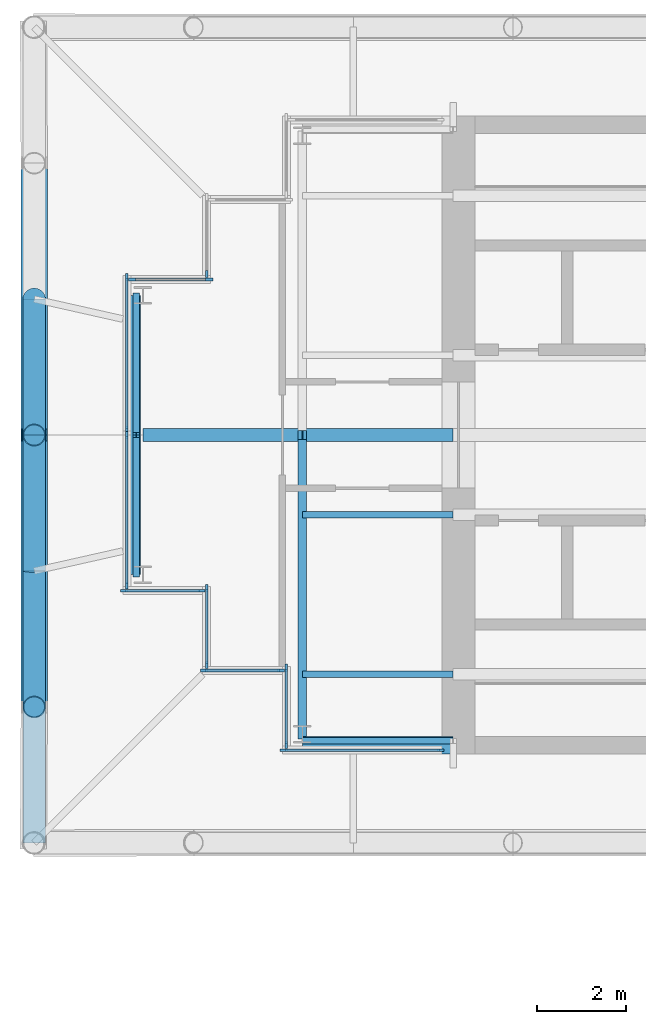
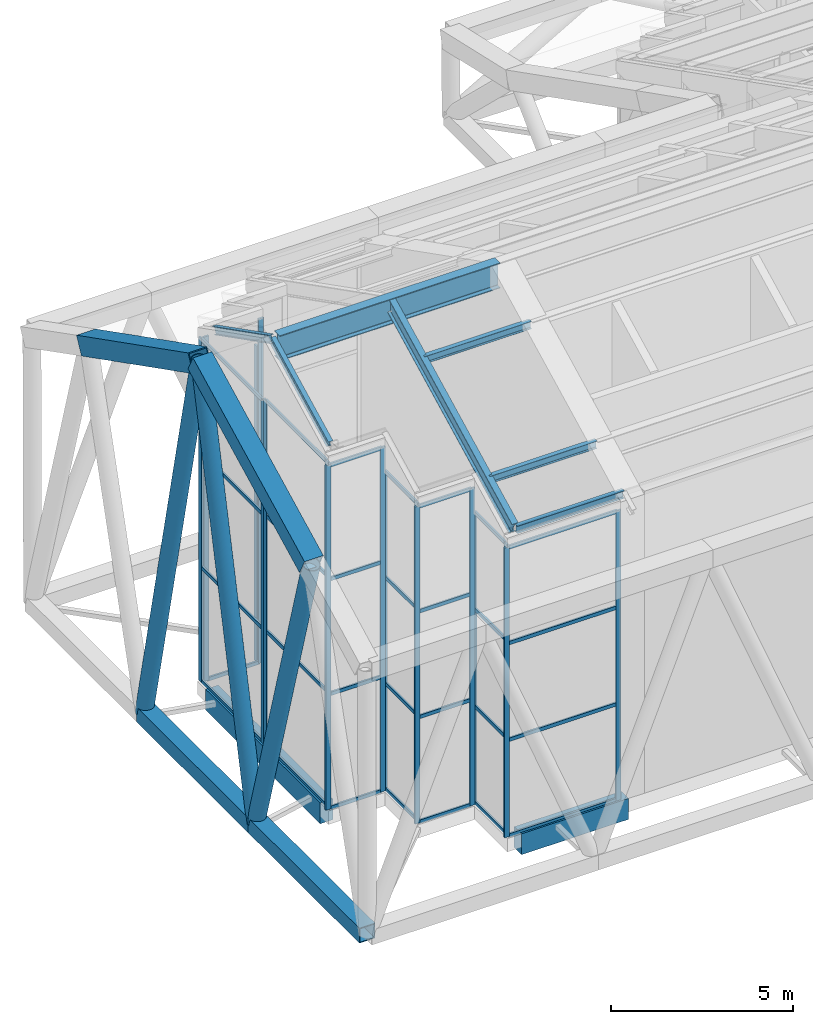
# One storey, part 6 of 25: 53 members, 9 beams, 9 elements without a shape of their own.
"""IFC4 building model written with IfcOpenShell, lengths in metres."""

from ifc_helpers import new_model, si_unit, direction, frame, origin, origin_2d, place, context, subcontext, project, spatial, rectangle, hollow_rectangle, hollow_circle, i_section, extrude, material, material_profile, profile_set, type_object, element, aggregate, save


model = new_model("IFC4")

# Units and contexts
model_context = context("Model", 3, precision=1e-05, world=origin(), true_north=direction((0.0, 1.0)))
body_context = subcontext(model_context, "Body", "Model", "MODEL_VIEW")
ifc_project = project(units=[si_unit("LENGTHUNIT", "METRE"), si_unit("AREAUNIT", "SQUARE_METRE"), si_unit("VOLUMEUNIT", "CUBIC_METRE"), si_unit("PLANEANGLEUNIT", "RADIAN"), si_unit("MASSUNIT", "GRAM", prefix="KILO")], contexts=[model_context])

# Site, building, storey
site_placement = place(None, origin())
site = spatial("IfcSite", under=ifc_project, at=site_placement, CompositionType="ELEMENT")
building_placement = place(site_placement, origin())
building = spatial("IfcBuilding", under=site, at=building_placement, Name="Fustian Cross Tower", CompositionType="ELEMENT")
storey_placement = place(building_placement, frame((0.0, 0.0, 247.5)))
storey = spatial("IfcBuildingStorey", under=building, at=storey_placement, Name="L77", CompositionType="ELEMENT", Elevation=247.5)

# Curtain wall, member
ifc_material_1 = material(Name="Glass", Category="glass")
curtain_wall_type = type_object("IfcCurtainWallType", Name="CW6 CURTAIN WALL", PredefinedType="NOTDEFINED", material=ifc_material_1)
curtain_wall_1_placement = place(storey_placement, origin())
curtain_wall_1 = element("IfcCurtainWall", 1, at=curtain_wall_1_placement, inside=storey, type_object=curtain_wall_type, Name="Curtain wall CW6", PredefinedType="NOTDEFINED")
ifc_material_2 = material(Name="Aluminium alloy 6063", Category="aluminium")
ifc_material_profile_1 = material_profile(ifc_material_2, rectangle(XDim=0.06005859375, YDim=0.159912109375, at=origin_2d()), Name="CW6 MULLION 60x160")
ifc_profile_set_1 = profile_set([ifc_material_profile_1], Name="Aluminium alloy 6063")
member_type_1 = type_object("IfcMemberType", Name="CW6 MULLION 60x160", PredefinedType="MULLION", material=ifc_profile_set_1)
member_1_placement = place(storey_placement, frame((-26.909912109375, 3.6298828125, 0.0), z_axis=(0.0, 0.0, 1.0), x_axis=(1.0, 0.0, 0.0)))
member_1 = element("IfcMember", 2, at=member_1_placement, type_object=member_type_1, Name="CW6 mullion 2", PredefinedType="MULLION", context=body_context, shape_type="SweptSolid", body=[
    extrude(rectangle(XDim=0.06005859375, YDim=0.159912109375, at=origin_2d()), origin(), (0.0, 0.0, 1.0), 10.60009765625),
])
aggregate(curtain_wall_1, [member_1])

# Curtain wall, members
curtain_wall_2_placement = place(storey_placement, origin())
curtain_wall_2 = element("IfcCurtainWall", 3, at=curtain_wall_2_placement, inside=storey, type_object=curtain_wall_type, Name="Curtain wall CW6", PredefinedType="NOTDEFINED")
member_2_placement = place(storey_placement, frame((-26.85009765625, 3.510009765625, 0.0), z_axis=(0.0, 0.0, 1.0), x_axis=(0.0, -1.0, 0.0)))
member_2 = element("IfcMember", 4, at=member_2_placement, type_object=member_type_1, Name="CW6 mullion 1", PredefinedType="MULLION", context=body_context, shape_type="SweptSolid", body=[
    extrude(rectangle(XDim=0.06005859375, YDim=0.159912109375, at=origin_2d()), origin(), (0.0, 0.0, 1.0), 11.5625),
])
member_3_placement = place(storey_placement, frame((-28.590087890625, 3.510009765625, 0.0), z_axis=(0.0, 0.0, 1.0), x_axis=(0.0, -1.0, 0.0)))
member_3 = element("IfcMember", 5, at=member_3_placement, type_object=member_type_1, Name="CW6 mullion 2", PredefinedType="MULLION", context=body_context, shape_type="SweptSolid", body=[
    extrude(rectangle(XDim=0.06005859375, YDim=0.159912109375, at=origin_2d()), origin(), (0.0, 0.0, 1.0), 11.5625),
])

curtain_wall_3_placement = place(storey_placement, origin())
curtain_wall_3 = element("IfcCurtainWall", 6, at=curtain_wall_3_placement, inside=storey, type_object=curtain_wall_type, Name="Curtain wall CW6", PredefinedType="NOTDEFINED")
member_4_placement = place(storey_placement, frame((-28.7099609375, 3.570068359375, 0.0), z_axis=(0.0, 0.0, 1.0), x_axis=(1.0, 0.0, 0.0)))
member_4 = element("IfcMember", 7, at=member_4_placement, type_object=member_type_1, Name="CW6 mullion 1", PredefinedType="MULLION", context=body_context, shape_type="SweptSolid", body=[
    extrude(rectangle(XDim=0.06005859375, YDim=0.159912109375, at=origin_2d()), origin(), (0.0, 0.0, 1.0), 11.5166015625),
])
member_5_placement = place(storey_placement, frame((-28.7099609375, 0.1201171875, 0.0), z_axis=(0.0, 0.0, 1.0), x_axis=(1.0, 0.0, 0.0)))
member_5 = element("IfcMember", 8, at=member_5_placement, type_object=member_type_1, Name="CW6 mullion 2", PredefinedType="MULLION", context=body_context, shape_type="SweptSolid", body=[
    extrude(rectangle(XDim=0.06005859375, YDim=0.159912109375, at=origin_2d()), origin(), (0.0, 0.0, 1.0), 11.5166015625),
])

curtain_wall_4_placement = place(storey_placement, origin())
curtain_wall_4 = element("IfcCurtainWall", 9, at=curtain_wall_4_placement, inside=storey, type_object=curtain_wall_type, Name="Curtain wall CW6", PredefinedType="NOTDEFINED")
member_6_placement = place(storey_placement, frame((-28.7099609375, 0.0, 0.0), z_axis=(0.0, 0.0, 1.0), x_axis=(1.0, 0.0, 0.0)))
member_6 = element("IfcMember", 10, at=member_6_placement, type_object=member_type_1, Name="CW6 mullion 1", PredefinedType="MULLION", context=body_context, shape_type="SweptSolid", body=[
    extrude(rectangle(XDim=0.06005859375, YDim=0.159912109375, at=origin_2d()), origin(), (0.0, 0.0, 1.0), 11.6083984375),
])
member_7_placement = place(storey_placement, frame((-28.7099609375, -3.389892578125, 0.0), z_axis=(0.0, 0.0, 1.0), x_axis=(1.0, 0.0, 0.0)))
member_7 = element("IfcMember", 11, at=member_7_placement, type_object=member_type_1, Name="CW6 mullion 2", PredefinedType="MULLION", context=body_context, shape_type="SweptSolid", body=[
    extrude(rectangle(XDim=0.06005859375, YDim=0.159912109375, at=origin_2d()), origin(), (0.0, 0.0, 1.0), 11.6083984375),
])

curtain_wall_5_placement = place(storey_placement, origin())
curtain_wall_5 = element("IfcCurtainWall", 12, at=curtain_wall_5_placement, inside=storey, type_object=curtain_wall_type, Name="Curtain wall CW6", PredefinedType="NOTDEFINED")
member_8_placement = place(storey_placement, frame((-28.77001953125, -3.510009765625, 0.0), z_axis=(0.0, 0.0, 1.0), x_axis=(0.0, 1.0, 0.0)))
member_8 = element("IfcMember", 13, at=member_8_placement, type_object=member_type_1, Name="CW6 mullion 1", PredefinedType="MULLION", context=body_context, shape_type="SweptSolid", body=[
    extrude(rectangle(XDim=0.06005859375, YDim=0.159912109375, at=origin_2d()), origin(), (0.0, 0.0, 1.0), 11.5625),
])
member_9_placement = place(storey_placement, frame((-27.030029296875, -3.510009765625, 0.0), z_axis=(0.0, 0.0, 1.0), x_axis=(0.0, 1.0, 0.0)))
member_9 = element("IfcMember", 14, at=member_9_placement, type_object=member_type_1, Name="CW6 mullion 2", PredefinedType="MULLION", context=body_context, shape_type="SweptSolid", body=[
    extrude(rectangle(XDim=0.06005859375, YDim=0.159912109375, at=origin_2d()), origin(), (0.0, 0.0, 1.0), 11.5625),
])

curtain_wall_6_placement = place(storey_placement, origin())
curtain_wall_6 = element("IfcCurtainWall", 15, at=curtain_wall_6_placement, inside=storey, type_object=curtain_wall_type, Name="Curtain wall CW6", PredefinedType="NOTDEFINED")
member_10_placement = place(storey_placement, frame((-26.909912109375, -3.449951171875, 0.0), z_axis=(0.0, 0.0, 1.0), x_axis=(1.0, 0.0, 0.0)))
member_10 = element("IfcMember", 16, at=member_10_placement, type_object=member_type_1, Name="CW6 mullion 1", PredefinedType="MULLION", context=body_context, shape_type="SweptSolid", body=[
    extrude(rectangle(XDim=0.06005859375, YDim=0.159912109375, at=origin_2d()), origin(), (0.0, 0.0, 1.0), 10.691650390625),
])
member_11_placement = place(storey_placement, frame((-26.909912109375, -5.18994140625, 0.0), z_axis=(0.0, 0.0, 1.0), x_axis=(1.0, 0.0, 0.0)))
member_11 = element("IfcMember", 17, at=member_11_placement, type_object=member_type_1, Name="CW6 mullion 2", PredefinedType="MULLION", context=body_context, shape_type="SweptSolid", body=[
    extrude(rectangle(XDim=0.06005859375, YDim=0.159912109375, at=origin_2d()), origin(), (0.0, 0.0, 1.0), 10.691650390625),
])

curtain_wall_7_placement = place(storey_placement, origin())
curtain_wall_7 = element("IfcCurtainWall", 18, at=curtain_wall_7_placement, inside=storey, type_object=curtain_wall_type, Name="Curtain wall CW6", PredefinedType="NOTDEFINED")
member_12_placement = place(storey_placement, frame((-26.969970703125, -5.31005859375, 0.0), z_axis=(0.0, 0.0, 1.0), x_axis=(0.0, 1.0, 0.0)))
member_12 = element("IfcMember", 19, at=member_12_placement, type_object=member_type_1, Name="CW6 mullion 1", PredefinedType="MULLION", context=body_context, shape_type="SweptSolid", body=[
    extrude(rectangle(XDim=0.06005859375, YDim=0.159912109375, at=origin_2d()), origin(), (0.0, 0.0, 1.0), 10.645751953125),
])
member_13_placement = place(storey_placement, frame((-25.22998046875, -5.31005859375, 0.0), z_axis=(0.0, 0.0, 1.0), x_axis=(0.0, 1.0, 0.0)))
member_13 = element("IfcMember", 20, at=member_13_placement, type_object=member_type_1, Name="CW6 mullion 2", PredefinedType="MULLION", context=body_context, shape_type="SweptSolid", body=[
    extrude(rectangle(XDim=0.06005859375, YDim=0.159912109375, at=origin_2d()), origin(), (0.0, 0.0, 1.0), 10.645751953125),
])

curtain_wall_8_placement = place(storey_placement, origin())
curtain_wall_8 = element("IfcCurtainWall", 21, at=curtain_wall_8_placement, inside=storey, type_object=curtain_wall_type, Name="Curtain wall CW6", PredefinedType="NOTDEFINED")
member_14_placement = place(storey_placement, frame((-25.110107421875, -5.25, 0.0), z_axis=(0.0, 0.0, 1.0), x_axis=(1.0, 0.0, 0.0)))
member_14 = element("IfcMember", 22, at=member_14_placement, type_object=member_type_1, Name="CW6 mullion 1", PredefinedType="MULLION", context=body_context, shape_type="SweptSolid", body=[
    extrude(rectangle(XDim=0.06005859375, YDim=0.159912109375, at=origin_2d()), origin(), (0.0, 0.0, 1.0), 9.77490234375),
])
member_15_placement = place(storey_placement, frame((-25.110107421875, -6.989990234375, 0.0), z_axis=(0.0, 0.0, 1.0), x_axis=(1.0, 0.0, 0.0)))
member_15 = element("IfcMember", 23, at=member_15_placement, type_object=member_type_1, Name="CW6 mullion 2", PredefinedType="MULLION", context=body_context, shape_type="SweptSolid", body=[
    extrude(rectangle(XDim=0.06005859375, YDim=0.159912109375, at=origin_2d()), origin(), (0.0, 0.0, 1.0), 9.77490234375),
])

curtain_wall_9_placement = place(storey_placement, origin())
curtain_wall_9 = element("IfcCurtainWall", 24, at=curtain_wall_9_placement, inside=storey, type_object=curtain_wall_type, Name="Curtain wall CW6", PredefinedType="NOTDEFINED")
member_16_placement = place(storey_placement, frame((-25.169921875, -7.110107421875, 0.0), z_axis=(0.0, 0.0, 1.0), x_axis=(0.0, 1.0, 0.0)))
member_16 = element("IfcMember", 25, at=member_16_placement, type_object=member_type_1, Name="CW6 mullion 1", PredefinedType="MULLION", context=body_context, shape_type="SweptSolid", body=[
    extrude(rectangle(XDim=0.06005859375, YDim=0.159912109375, at=origin_2d()), origin(), (0.0, 0.0, 1.0), 9.729248046875),
])
member_17_placement = place(storey_placement, frame((-21.6298828125, -7.110107421875, 0.0), z_axis=(0.0, 0.0, 1.0), x_axis=(0.0, 1.0, 0.0)))
member_17 = element("IfcMember", 26, at=member_17_placement, type_object=member_type_1, Name="CW6 mullion 2", PredefinedType="MULLION", context=body_context, shape_type="SweptSolid", body=[
    extrude(rectangle(XDim=0.06005859375, YDim=0.159912109375, at=origin_2d()), origin(), (0.0, 0.0, 1.0), 9.729248046875),
])

# Member
ifc_material_3 = material(Name="Aluminium alloy 6063", Category="aluminium")
ifc_material_profile_2 = material_profile(ifc_material_3, rectangle(XDim=0.06005859375, YDim=0.1201171875, at=origin_2d()), Name="CW6 TRANSOM 60x120")
ifc_profile_set_2 = profile_set([ifc_material_profile_2], Name="Aluminium alloy 6063")
member_type_2 = type_object("IfcMemberType", Name="CW6 TRANSOM 60x120", PredefinedType="USERDEFINED", material=ifc_profile_set_2)
member_18_placement = place(storey_placement, frame((-26.8798828125, 3.510009765625, 0.030029296875), z_axis=(-1.0, 0.0, 0.0), x_axis=(0.0, -1.0, 0.0)))
member_18 = element("IfcMember", 27, at=member_18_placement, type_object=member_type_2, Name="CW6 transom 1.1", ObjectType="TRANSOM", PredefinedType="USERDEFINED", context=body_context, shape_type="SweptSolid", body=[
    extrude(rectangle(XDim=0.06005859375, YDim=0.1201171875, at=origin_2d()), origin(), (0.0, 0.0, 1.0), 1.68017578125),
])

aggregate(curtain_wall_2, [member_2, member_3, member_18])

member_19_placement = place(storey_placement, frame((-28.7099609375, 3.5400390625, 0.030029296875), z_axis=(0.0, -1.0, 0.0), x_axis=(1.0, 0.0, 0.0)))
member_19 = element("IfcMember", 28, at=member_19_placement, type_object=member_type_2, Name="CW6 transom 1.1", ObjectType="TRANSOM", PredefinedType="USERDEFINED", context=body_context, shape_type="SweptSolid", body=[
    extrude(rectangle(XDim=0.06005859375, YDim=0.1201171875, at=origin_2d()), origin(), (0.0, 0.0, 1.0), 3.39013671875),
])

member_20_placement = place(storey_placement, frame((-28.7099609375, 3.5400390625, 3.8388671875), z_axis=(0.0, -1.0, 0.0), x_axis=(1.0, 0.0, 0.0)))
member_20 = element("IfcMember", 29, at=member_20_placement, type_object=member_type_2, Name="CW6 transom 1.2", ObjectType="TRANSOM", PredefinedType="USERDEFINED", context=body_context, shape_type="SweptSolid", body=[
    extrude(rectangle(XDim=0.06005859375, YDim=0.1201171875, at=origin_2d()), origin(), (0.0, 0.0, 1.0), 3.39013671875),
])

member_21_placement = place(storey_placement, frame((-28.7099609375, 3.5400390625, 7.677734375), z_axis=(0.0, -1.0, 0.0), x_axis=(1.0, 0.0, 0.0)))
member_21 = element("IfcMember", 30, at=member_21_placement, type_object=member_type_2, Name="CW6 transom 1.3", ObjectType="TRANSOM", PredefinedType="USERDEFINED", context=body_context, shape_type="SweptSolid", body=[
    extrude(rectangle(XDim=0.06005859375, YDim=0.1201171875, at=origin_2d()), origin(), (0.0, 0.0, 1.0), 3.39013671875),
])

member_22_placement = place(storey_placement, frame((-28.7099609375, 3.5400390625, 11.486572265625), z_axis=(0.0, -1.0, 0.0), x_axis=(1.0, 0.0, 0.0)))
member_22 = element("IfcMember", 31, at=member_22_placement, type_object=member_type_2, Name="CW6 transom 1.4", ObjectType="TRANSOM", PredefinedType="USERDEFINED", context=body_context, shape_type="SweptSolid", body=[
    extrude(rectangle(XDim=0.06005859375, YDim=0.1201171875, at=origin_2d()), origin(), (0.0, 0.0, 1.0), 3.39013671875),
])

aggregate(curtain_wall_3, [member_4, member_5, member_19, member_20, member_21, member_22])

member_23_placement = place(storey_placement, frame((-28.7099609375, -0.030029296875, 0.030029296875), z_axis=(0.0, -1.0, 0.0), x_axis=(1.0, 0.0, 0.0)))
member_23 = element("IfcMember", 32, at=member_23_placement, type_object=member_type_2, Name="CW6 transom 1.1", ObjectType="TRANSOM", PredefinedType="USERDEFINED", context=body_context, shape_type="SweptSolid", body=[
    extrude(rectangle(XDim=0.06005859375, YDim=0.1201171875, at=origin_2d()), origin(), (0.0, 0.0, 1.0), 3.330078125),
])

member_24_placement = place(storey_placement, frame((-28.7099609375, -0.030029296875, 3.869384765625), z_axis=(0.0, -1.0, 0.0), x_axis=(1.0, 0.0, 0.0)))
member_24 = element("IfcMember", 33, at=member_24_placement, type_object=member_type_2, Name="CW6 transom 1.2", ObjectType="TRANSOM", PredefinedType="USERDEFINED", context=body_context, shape_type="SweptSolid", body=[
    extrude(rectangle(XDim=0.06005859375, YDim=0.1201171875, at=origin_2d()), origin(), (0.0, 0.0, 1.0), 3.330078125),
])

member_25_placement = place(storey_placement, frame((-28.7099609375, -0.030029296875, 7.73876953125), z_axis=(0.0, -1.0, 0.0), x_axis=(1.0, 0.0, 0.0)))
member_25 = element("IfcMember", 34, at=member_25_placement, type_object=member_type_2, Name="CW6 transom 1.3", ObjectType="TRANSOM", PredefinedType="USERDEFINED", context=body_context, shape_type="SweptSolid", body=[
    extrude(rectangle(XDim=0.06005859375, YDim=0.1201171875, at=origin_2d()), origin(), (0.0, 0.0, 1.0), 3.330078125),
])

member_26_placement = place(storey_placement, frame((-28.7099609375, -0.030029296875, 11.578369140625), z_axis=(0.0, -1.0, 0.0), x_axis=(1.0, 0.0, 0.0)))
member_26 = element("IfcMember", 35, at=member_26_placement, type_object=member_type_2, Name="CW6 transom 1.4", ObjectType="TRANSOM", PredefinedType="USERDEFINED", context=body_context, shape_type="SweptSolid", body=[
    extrude(rectangle(XDim=0.06005859375, YDim=0.1201171875, at=origin_2d()), origin(), (0.0, 0.0, 1.0), 3.330078125),
])

aggregate(curtain_wall_4, [member_6, member_7, member_23, member_24, member_25, member_26])

member_27_placement = place(storey_placement, frame((-28.739990234375, -3.510009765625, 0.030029296875), z_axis=(1.0, 0.0, 0.0), x_axis=(0.0, 1.0, 0.0)))
member_27 = element("IfcMember", 36, at=member_27_placement, type_object=member_type_2, Name="CW6 transom 1.1", ObjectType="TRANSOM", PredefinedType="USERDEFINED", context=body_context, shape_type="SweptSolid", body=[
    extrude(rectangle(XDim=0.06005859375, YDim=0.1201171875, at=origin_2d()), origin(), (0.0, 0.0, 1.0), 1.679931640625),
])

member_28_placement = place(storey_placement, frame((-28.739990234375, -3.510009765625, 3.854248046875), z_axis=(1.0, 0.0, 0.0), x_axis=(0.0, 1.0, 0.0)))
member_28 = element("IfcMember", 37, at=member_28_placement, type_object=member_type_2, Name="CW6 transom 1.2", ObjectType="TRANSOM", PredefinedType="USERDEFINED", context=body_context, shape_type="SweptSolid", body=[
    extrude(rectangle(XDim=0.06005859375, YDim=0.1201171875, at=origin_2d()), origin(), (0.0, 0.0, 1.0), 1.679931640625),
])

member_29_placement = place(storey_placement, frame((-28.739990234375, -3.510009765625, 7.708251953125), z_axis=(1.0, 0.0, 0.0), x_axis=(0.0, 1.0, 0.0)))
member_29 = element("IfcMember", 38, at=member_29_placement, type_object=member_type_2, Name="CW6 transom 1.3", ObjectType="TRANSOM", PredefinedType="USERDEFINED", context=body_context, shape_type="SweptSolid", body=[
    extrude(rectangle(XDim=0.06005859375, YDim=0.1201171875, at=origin_2d()), origin(), (0.0, 0.0, 1.0), 1.679931640625),
])

member_30_placement = place(storey_placement, frame((-28.739990234375, -3.510009765625, 11.532470703125), z_axis=(1.0, 0.0, 0.0), x_axis=(0.0, 1.0, 0.0)))
member_30 = element("IfcMember", 39, at=member_30_placement, type_object=member_type_2, Name="CW6 transom 1.4", ObjectType="TRANSOM", PredefinedType="USERDEFINED", context=body_context, shape_type="SweptSolid", body=[
    extrude(rectangle(XDim=0.06005859375, YDim=0.1201171875, at=origin_2d()), origin(), (0.0, 0.0, 1.0), 1.679931640625),
])

aggregate(curtain_wall_5, [member_8, member_9, member_27, member_28, member_29, member_30])

member_31_placement = place(storey_placement, frame((-26.909912109375, -3.47998046875, 0.030029296875), z_axis=(0.0, -1.0, 0.0), x_axis=(1.0, 0.0, 0.0)))
member_31 = element("IfcMember", 40, at=member_31_placement, type_object=member_type_2, Name="CW6 transom 1.1", ObjectType="TRANSOM", PredefinedType="USERDEFINED", context=body_context, shape_type="SweptSolid", body=[
    extrude(rectangle(XDim=0.06005859375, YDim=0.1201171875, at=origin_2d()), origin(), (0.0, 0.0, 1.0), 1.679931640625),
])

member_32_placement = place(storey_placement, frame((-26.909912109375, -3.47998046875, 3.56396484375), z_axis=(0.0, -1.0, 0.0), x_axis=(1.0, 0.0, 0.0)))
member_32 = element("IfcMember", 41, at=member_32_placement, type_object=member_type_2, Name="CW6 transom 1.2", ObjectType="TRANSOM", PredefinedType="USERDEFINED", context=body_context, shape_type="SweptSolid", body=[
    extrude(rectangle(XDim=0.06005859375, YDim=0.1201171875, at=origin_2d()), origin(), (0.0, 0.0, 1.0), 1.679931640625),
])

member_33_placement = place(storey_placement, frame((-26.909912109375, -3.47998046875, 7.127685546875), z_axis=(0.0, -1.0, 0.0), x_axis=(1.0, 0.0, 0.0)))
member_33 = element("IfcMember", 42, at=member_33_placement, type_object=member_type_2, Name="CW6 transom 1.3", ObjectType="TRANSOM", PredefinedType="USERDEFINED", context=body_context, shape_type="SweptSolid", body=[
    extrude(rectangle(XDim=0.06005859375, YDim=0.1201171875, at=origin_2d()), origin(), (0.0, 0.0, 1.0), 1.679931640625),
])

member_34_placement = place(storey_placement, frame((-26.909912109375, -3.47998046875, 10.66162109375), z_axis=(0.0, -1.0, 0.0), x_axis=(1.0, 0.0, 0.0)))
member_34 = element("IfcMember", 43, at=member_34_placement, type_object=member_type_2, Name="CW6 transom 1.4", ObjectType="TRANSOM", PredefinedType="USERDEFINED", context=body_context, shape_type="SweptSolid", body=[
    extrude(rectangle(XDim=0.06005859375, YDim=0.1201171875, at=origin_2d()), origin(), (0.0, 0.0, 1.0), 1.679931640625),
])

aggregate(curtain_wall_6, [member_10, member_11, member_31, member_32, member_33, member_34])

member_35_placement = place(storey_placement, frame((-26.93994140625, -5.31005859375, 0.030029296875), z_axis=(1.0, 0.0, 0.0), x_axis=(0.0, 1.0, 0.0)))
member_35 = element("IfcMember", 44, at=member_35_placement, type_object=member_type_2, Name="CW6 transom 1.1", ObjectType="TRANSOM", PredefinedType="USERDEFINED", context=body_context, shape_type="SweptSolid", body=[
    extrude(rectangle(XDim=0.06005859375, YDim=0.1201171875, at=origin_2d()), origin(), (0.0, 0.0, 1.0), 1.679931640625),
])

member_36_placement = place(storey_placement, frame((-26.93994140625, -5.31005859375, 3.548583984375), z_axis=(1.0, 0.0, 0.0), x_axis=(0.0, 1.0, 0.0)))
member_36 = element("IfcMember", 45, at=member_36_placement, type_object=member_type_2, Name="CW6 transom 1.2", ObjectType="TRANSOM", PredefinedType="USERDEFINED", context=body_context, shape_type="SweptSolid", body=[
    extrude(rectangle(XDim=0.06005859375, YDim=0.1201171875, at=origin_2d()), origin(), (0.0, 0.0, 1.0), 1.679931640625),
])

member_37_placement = place(storey_placement, frame((-26.93994140625, -5.31005859375, 7.09716796875), z_axis=(1.0, 0.0, 0.0), x_axis=(0.0, 1.0, 0.0)))
member_37 = element("IfcMember", 46, at=member_37_placement, type_object=member_type_2, Name="CW6 transom 1.3", ObjectType="TRANSOM", PredefinedType="USERDEFINED", context=body_context, shape_type="SweptSolid", body=[
    extrude(rectangle(XDim=0.06005859375, YDim=0.1201171875, at=origin_2d()), origin(), (0.0, 0.0, 1.0), 1.679931640625),
])

member_38_placement = place(storey_placement, frame((-26.93994140625, -5.31005859375, 10.61572265625), z_axis=(1.0, 0.0, 0.0), x_axis=(0.0, 1.0, 0.0)))
member_38 = element("IfcMember", 47, at=member_38_placement, type_object=member_type_2, Name="CW6 transom 1.4", ObjectType="TRANSOM", PredefinedType="USERDEFINED", context=body_context, shape_type="SweptSolid", body=[
    extrude(rectangle(XDim=0.06005859375, YDim=0.1201171875, at=origin_2d()), origin(), (0.0, 0.0, 1.0), 1.679931640625),
])

aggregate(curtain_wall_7, [member_12, member_13, member_35, member_36, member_37, member_38])

member_39_placement = place(storey_placement, frame((-25.110107421875, -5.280029296875, 0.030029296875), z_axis=(0.0, -1.0, 0.0), x_axis=(1.0, 0.0, 0.0)))
member_39 = element("IfcMember", 48, at=member_39_placement, type_object=member_type_2, Name="CW6 transom 1.1", ObjectType="TRANSOM", PredefinedType="USERDEFINED", context=body_context, shape_type="SweptSolid", body=[
    extrude(rectangle(XDim=0.06005859375, YDim=0.1201171875, at=origin_2d()), origin(), (0.0, 0.0, 1.0), 1.679931640625),
])

member_40_placement = place(storey_placement, frame((-25.110107421875, -5.280029296875, 3.25830078125), z_axis=(0.0, -1.0, 0.0), x_axis=(1.0, 0.0, 0.0)))
member_40 = element("IfcMember", 49, at=member_40_placement, type_object=member_type_2, Name="CW6 transom 1.2", ObjectType="TRANSOM", PredefinedType="USERDEFINED", context=body_context, shape_type="SweptSolid", body=[
    extrude(rectangle(XDim=0.06005859375, YDim=0.1201171875, at=origin_2d()), origin(), (0.0, 0.0, 1.0), 1.679931640625),
])

member_41_placement = place(storey_placement, frame((-25.110107421875, -5.280029296875, 6.5166015625), z_axis=(0.0, -1.0, 0.0), x_axis=(1.0, 0.0, 0.0)))
member_41 = element("IfcMember", 50, at=member_41_placement, type_object=member_type_2, Name="CW6 transom 1.3", ObjectType="TRANSOM", PredefinedType="USERDEFINED", context=body_context, shape_type="SweptSolid", body=[
    extrude(rectangle(XDim=0.06005859375, YDim=0.1201171875, at=origin_2d()), origin(), (0.0, 0.0, 1.0), 1.679931640625),
])

member_42_placement = place(storey_placement, frame((-25.110107421875, -5.280029296875, 9.7451171875), z_axis=(0.0, -1.0, 0.0), x_axis=(1.0, 0.0, 0.0)))
member_42 = element("IfcMember", 51, at=member_42_placement, type_object=member_type_2, Name="CW6 transom 1.4", ObjectType="TRANSOM", PredefinedType="USERDEFINED", context=body_context, shape_type="SweptSolid", body=[
    extrude(rectangle(XDim=0.06005859375, YDim=0.1201171875, at=origin_2d()), origin(), (0.0, 0.0, 1.0), 1.679931640625),
])

aggregate(curtain_wall_8, [member_14, member_15, member_39, member_40, member_41, member_42])

member_43_placement = place(storey_placement, frame((-25.139892578125, -7.110107421875, 0.030029296875), z_axis=(1.0, 0.0, 0.0), x_axis=(0.0, 1.0, 0.0)))
member_43 = element("IfcMember", 52, at=member_43_placement, type_object=member_type_2, Name="CW6 transom 1.1", ObjectType="TRANSOM", PredefinedType="USERDEFINED", context=body_context, shape_type="SweptSolid", body=[
    extrude(rectangle(XDim=0.06005859375, YDim=0.1201171875, at=origin_2d()), origin(), (0.0, 0.0, 1.0), 3.47998046875),
])

member_44_placement = place(storey_placement, frame((-25.139892578125, -7.110107421875, 3.2431640625), z_axis=(1.0, 0.0, 0.0), x_axis=(0.0, 1.0, 0.0)))
member_44 = element("IfcMember", 53, at=member_44_placement, type_object=member_type_2, Name="CW6 transom 1.2", ObjectType="TRANSOM", PredefinedType="USERDEFINED", context=body_context, shape_type="SweptSolid", body=[
    extrude(rectangle(XDim=0.06005859375, YDim=0.1201171875, at=origin_2d()), origin(), (0.0, 0.0, 1.0), 3.47998046875),
])

member_45_placement = place(storey_placement, frame((-25.139892578125, -7.110107421875, 6.486083984375), z_axis=(1.0, 0.0, 0.0), x_axis=(0.0, 1.0, 0.0)))
member_45 = element("IfcMember", 54, at=member_45_placement, type_object=member_type_2, Name="CW6 transom 1.3", ObjectType="TRANSOM", PredefinedType="USERDEFINED", context=body_context, shape_type="SweptSolid", body=[
    extrude(rectangle(XDim=0.06005859375, YDim=0.1201171875, at=origin_2d()), origin(), (0.0, 0.0, 1.0), 3.47998046875),
])

member_46_placement = place(storey_placement, frame((-25.139892578125, -7.110107421875, 9.69921875), z_axis=(1.0, 0.0, 0.0), x_axis=(0.0, 1.0, 0.0)))
member_46 = element("IfcMember", 55, at=member_46_placement, type_object=member_type_2, Name="CW6 transom 1.4", ObjectType="TRANSOM", PredefinedType="USERDEFINED", context=body_context, shape_type="SweptSolid", body=[
    extrude(rectangle(XDim=0.06005859375, YDim=0.1201171875, at=origin_2d()), origin(), (0.0, 0.0, 1.0), 3.47998046875),
])

aggregate(curtain_wall_9, [member_16, member_17, member_43, member_44, member_45, member_46])

# Members
ifc_material_4 = material(Name="Steel S355", Category="steel")
ifc_material_profile_3 = material_profile(ifc_material_4, hollow_circle(Radius=0.25390625, WallThickness=0.02001953125, at=origin_2d()), Name="CHS 508x20")
ifc_profile_set_3 = profile_set([ifc_material_profile_3], Name="Steel S355")
member_type_3 = type_object("IfcMemberType", Name="DIAGRID DIAGONAL CHS 508x20", PredefinedType="BRACE", material=ifc_profile_set_3)
for number, where, z_axis, x_axis, name in (
    (56, (-30.800048828125, 3.066650390625, 0.0), (0.0, -0.219200746115, 0.975679779898), (1.0, 0.0, 0.0), "Diagrid diagonal W-end 03"),
    (57, (-30.800048828125, -3.066650390625, 0.0), (0.0, 0.219200746115, 0.975679779898), (-1.0, 0.0, 0.0), "Diagrid diagonal W-end 04"),
):
    element("IfcMember", number, at=place(storey_placement, frame(where, z_axis=z_axis, x_axis=x_axis)), inside=storey, type_object=member_type_3, Name=name, PredefinedType="BRACE", context=body_context, shape_type="SweptSolid", body=[
        extrude(hollow_circle(Radius=0.25390625, WallThickness=0.02001953125, at=origin_2d()), origin(), (0.0, 0.0, 1.0), 13.990234375),
    ])
member_47_placement = place(storey_placement, frame((-30.800048828125, -3.066650390625, 0.0), z_axis=(0.0, -0.279696441549, 0.96008848581), x_axis=(1.0, 0.0, 0.0)))
element("IfcMember", 58, at=member_47_placement, inside=storey, type_object=member_type_3, Name="Diagrid diagonal W-end 05", PredefinedType="BRACE", context=body_context, shape_type="SweptSolid", body=[
    extrude(hollow_circle(Radius=0.25390625, WallThickness=0.02001953125, at=origin_2d()), origin(), (0.0, 0.0, 1.0), 10.964111328125),
])
ifc_material_5 = material(Name="Steel S355", Category="steel")
ifc_material_profile_4 = material_profile(ifc_material_5, hollow_rectangle(XDim=0.5, YDim=0.5, WallThickness=0.02490234375, at=origin_2d()), Name="RHS 500x500x25")
ifc_profile_set_4 = profile_set([ifc_material_profile_4], Name="Steel S355")
member_type_4 = type_object("IfcMemberType", Name="DIAGRID RING RHS 500x500x25", PredefinedType="MEMBER", material=ifc_profile_set_4)
for number, where, z_axis, x_axis, name in (
    (59, (-30.800048828125, 3.066650390625, 0.0), (0.0, -1.0, 0.0), (1.0, 0.0, 0.0), "Diagrid ring L77-15 L77-16"),
    (60, (-30.800048828125, -3.066650390625, 0.0), (0.0, -1.0, 0.0), (1.0, 0.0, 0.0), "Diagrid ring L77-16 L77-17"),
):
    element("IfcMember", number, at=place(storey_placement, frame(where, z_axis=z_axis, x_axis=x_axis)), inside=storey, type_object=member_type_4, Name=name, PredefinedType="MEMBER", context=body_context, shape_type="SweptSolid", body=[
        extrude(hollow_rectangle(XDim=0.5, YDim=0.5, WallThickness=0.02490234375, at=origin_2d()), origin(), (0.0, 0.0, 1.0), 6.13330078125),
    ])
ifc_material_6 = material(Name="Steel S355", Category="steel")
ifc_material_profile_5 = material_profile(ifc_material_6, hollow_rectangle(XDim=0.60009765625, YDim=0.60009765625, WallThickness=0.030029296875, at=origin_2d()), Name="RHS 600x600x30")
ifc_profile_set_5 = profile_set([ifc_material_profile_5], Name="Steel S355")
member_type_5 = type_object("IfcMemberType", Name="DIAGRID RING RHS 600x600x30", PredefinedType="MEMBER", material=ifc_profile_set_5)
for number, where, z_axis, x_axis, name in (
    (61, (-30.800048828125, 6.13330078125, 10.526611328125), (0.0, -0.89111122047, 0.453784963119), (1.0, 0.0, 0.0), "Diagrid ring TOP-20 TOP-21"),
    (62, (-30.800048828125, 0.0, 13.64990234375), (0.0, -0.89111122047, -0.453784963119), (1.0, 0.0, 0.0), "Diagrid ring TOP-21 TOP-22"),
):
    element("IfcMember", number, at=place(storey_placement, frame(where, z_axis=z_axis, x_axis=x_axis)), inside=storey, type_object=member_type_5, Name=name, PredefinedType="MEMBER", context=body_context, shape_type="SweptSolid", body=[
        extrude(hollow_rectangle(XDim=0.60009765625, YDim=0.60009765625, WallThickness=0.030029296875, at=origin_2d()), origin(), (0.0, 0.0, 1.0), 6.8828125),
    ])

# Beams
ifc_material_7 = material(Name="Concrete C50/60", Category="concrete")
ifc_material_profile_6 = material_profile(ifc_material_7, rectangle(XDim=0.39990234375, YDim=0.699951171875, at=origin_2d()), Name="RC 400x700")
ifc_profile_set_6 = profile_set([ifc_material_profile_6], Name="Concrete C50/60")
beam_type_1 = type_object("IfcBeamType", Name="EDGE BEAM RC 400x700 C50/60", PredefinedType="SPANDREL", material=ifc_profile_set_6)
beam_1_placement = place(storey_placement, frame((-28.60009765625, 3.14990234375, -0.35009765625), z_axis=(0.0, -1.0, 0.0), x_axis=(1.0, 0.0, 0.0)))
element("IfcBeam", 63, at=beam_1_placement, inside=storey, type_object=beam_type_1, Name="EDGE BEAM L77-10", PredefinedType="SPANDREL", context=body_context, shape_type="SweptSolid", body=[
    extrude(rectangle(XDim=0.39990234375, YDim=0.699951171875, at=origin_2d()), origin(), (0.0, 0.0, 1.0), 6.2998046875),
])
beam_2_placement = place(storey_placement, frame((-24.75, -7.0, -0.35009765625), z_axis=(1.0, 0.0, 0.0), x_axis=(0.0, 1.0, 0.0)))
element("IfcBeam", 64, at=beam_2_placement, inside=storey, type_object=beam_type_1, Name="EDGE BEAM L77-11", PredefinedType="SPANDREL", context=body_context, shape_type="SweptSolid", body=[
    extrude(rectangle(XDim=0.39990234375, YDim=0.699951171875, at=origin_2d()), origin(), (0.0, 0.0, 1.0), 3.39990234375),
])
ifc_material_8 = material(Name="Steel S355", Category="steel")
ifc_material_profile_7 = material_profile(ifc_material_8, i_section(OverallWidth=0.293701171875, OverallDepth=0.850830078125, WebThickness=0.01611328125, FlangeThickness=0.02685546875, FilletRadius=0.017822265625, at=origin_2d()), Name="UB 838x292x226")
ifc_profile_set_7 = profile_set([ifc_material_profile_7], Name="Steel S355")
beam_type_2 = type_object("IfcBeamType", Name="RIDGE GIRDER UB 838x292x226 S355", PredefinedType="BEAM", material=ifc_profile_set_7)
beam_3_placement = place(storey_placement, frame((-28.35009765625, 0.0, 13.2744140625), z_axis=(1.0, 0.0, 0.0), x_axis=(0.0, 1.0, 0.0)))
element("IfcBeam", 65, at=beam_3_placement, inside=storey, type_object=beam_type_2, Name="RIDGE GIRDER 057", PredefinedType="BEAM", context=body_context, shape_type="SweptSolid", body=[
    extrude(i_section(OverallWidth=0.293701171875, OverallDepth=0.850830078125, WebThickness=0.01611328125, FlangeThickness=0.02685546875, FilletRadius=0.017822265625, at=origin_2d()), origin(), (0.0, 0.0, 1.0), 7.0),
])
ifc_material_9 = material(Name="Steel S355", Category="steel")
ifc_material_profile_8 = material_profile(ifc_material_9, i_section(OverallWidth=0.19287109375, OverallDepth=0.46728515625, WebThickness=0.011474609375, FlangeThickness=0.01953125, FilletRadius=0.01025390625, at=origin_2d()), Name="UB 457x191x98")
ifc_profile_set_8 = profile_set([ifc_material_profile_8], Name="Steel S355")
beam_type_3 = type_object("IfcBeamType", Name="ROOF RAFTER UB 457x191x98 S355", PredefinedType="BEAM", material=ifc_profile_set_8)
beam_4_placement = place(storey_placement, frame((-24.75, -6.75, 10.00048828125), z_axis=(0.0, 0.891102454825, 0.453802176068), x_axis=(-1.0, 0.0, 0.0)))
element("IfcBeam", 66, at=beam_4_placement, inside=storey, type_object=beam_type_3, Name="ROOF BEAM 035", PredefinedType="BEAM", context=body_context, shape_type="SweptSolid", body=[
    extrude(i_section(OverallWidth=0.19287109375, OverallDepth=0.46728515625, WebThickness=0.011474609375, FlangeThickness=0.01953125, FilletRadius=0.01025390625, at=origin_2d()), origin(), (0.0, 0.0, 1.0), 7.574951171875),
])
ifc_material_10 = material(Name="Steel S355", Category="steel")
ifc_material_profile_9 = material_profile(ifc_material_10, i_section(OverallWidth=0.14599609375, OverallDepth=0.25146484375, WebThickness=0.006103515625, FlangeThickness=0.008544921875, FilletRadius=0.007568359375, at=origin_2d()), Name="UB 254x146x31")
ifc_profile_set_9 = profile_set([ifc_material_profile_9], Name="Steel S355")
beam_type_4 = type_object("IfcBeamType", Name="ROOF TRIMMER UB 254x146x31 S355", PredefinedType="BEAM", material=ifc_profile_set_9)
for number, where, z_axis, x_axis, name in (
    (67, (-28.5, 3.14990234375, 11.954833984375), (0.0, -0.891115385024, 0.453776784964), (1.0, 0.0, 0.0), "ROOF BEAM 016"),
    (68, (-28.5, 0.0, 13.558837890625), (0.0, -0.891115385024, -0.453776784964), (1.0, 0.0, 0.0), "ROOF BEAM 017"),
):
    element("IfcBeam", number, at=place(storey_placement, frame(where, z_axis=z_axis, x_axis=x_axis)), inside=storey, type_object=beam_type_4, Name=name, PredefinedType="BEAM", context=body_context, shape_type="SweptSolid", body=[
        extrude(i_section(OverallWidth=0.14599609375, OverallDepth=0.25146484375, WebThickness=0.006103515625, FlangeThickness=0.008544921875, FilletRadius=0.007568359375, at=origin_2d()), origin(), (0.0, 0.0, 1.0), 3.53466796875),
    ])
for number, where, z_axis, x_axis, name in (
    (69, (-24.75, -6.89990234375, 10.060302734375), (1.0, 0.0, 0.0), (0.0, 1.0, 0.0), "ROOF BEAM 018"),
    (70, (-21.35009765625, -5.39990234375, 10.82421875), (-1.0, 0.0, 0.0), (0.0, -1.0, 0.0), "ROOF BEAM 041"),
    (71, (-21.35009765625, -1.800048828125, 12.65771484375), (-1.0, 0.0, 0.0), (0.0, -1.0, 0.0), "ROOF BEAM 046"),
):
    element("IfcBeam", number, at=place(storey_placement, frame(where, z_axis=z_axis, x_axis=x_axis)), inside=storey, type_object=beam_type_4, Name=name, PredefinedType="BEAM", context=body_context, shape_type="SweptSolid", body=[
        extrude(i_section(OverallWidth=0.14599609375, OverallDepth=0.25146484375, WebThickness=0.006103515625, FlangeThickness=0.008544921875, FilletRadius=0.007568359375, at=origin_2d()), origin(), (0.0, 0.0, 1.0), 3.39990234375),
    ])

save(model, "model.ifc")
